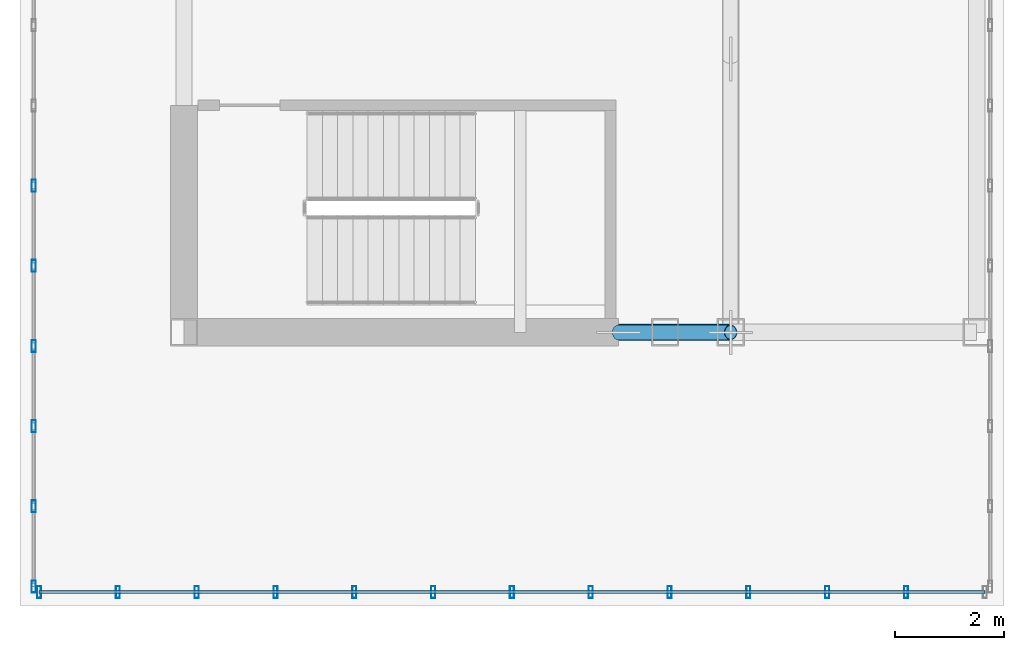
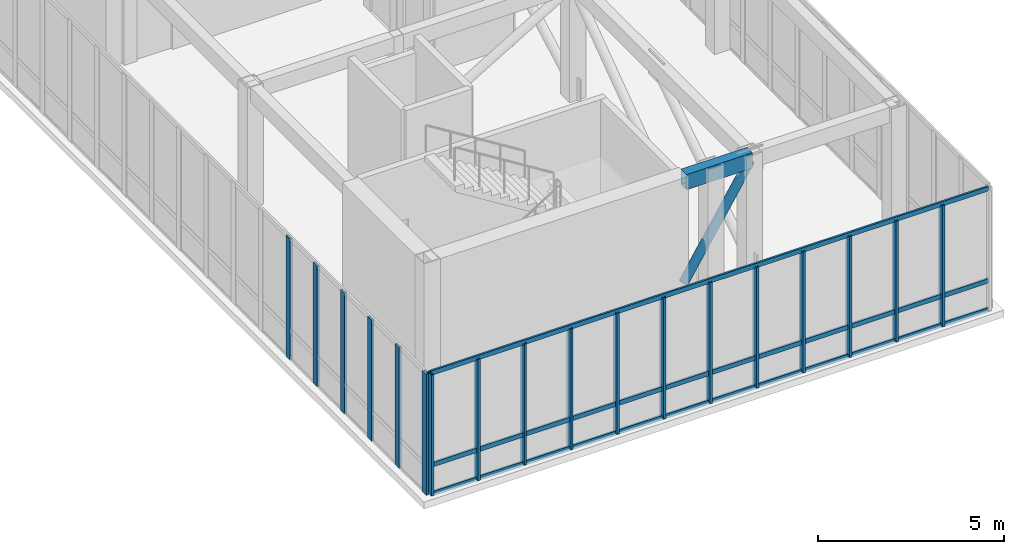
# One storey, part 2 of 13: 22 members, 1 beam, 2 elements without a shape of their own.
"""IFC4 building model written with IfcOpenShell, lengths in metres."""

from ifc_helpers import new_model, si_unit, direction, frame, origin, origin_2d, place, context, subcontext, project, spatial, hollow_rectangle, hollow_circle, extrude, source, transform, mapped, material, layer, layer_set, material_profile, profile_set, type_object, element, aggregate, save


model = new_model("IFC4")

# Units and contexts
model_context = context("Model", 3, precision=1e-05, world=origin(), true_north=direction((0.0, 1.0)))
body_context = subcontext(model_context, "Body", "Model", "MODEL_VIEW")
ifc_project = project(units=[si_unit("LENGTHUNIT", "METRE"), si_unit("AREAUNIT", "SQUARE_METRE"), si_unit("VOLUMEUNIT", "CUBIC_METRE"), si_unit("PLANEANGLEUNIT", "RADIAN"), si_unit("MASSUNIT", "GRAM", prefix="KILO")], contexts=[model_context])

# Site, building, storey
site_placement = place(None, origin())
site = spatial("IfcSite", under=ifc_project, at=site_placement, CompositionType="ELEMENT")
building_placement = place(site_placement, origin())
building = spatial("IfcBuilding", under=site, at=building_placement, Name="Kharzan Plaza Tower", CompositionType="ELEMENT")
storey_placement = place(building_placement, frame((0.0, 0.0, 281.39990234375)))
storey = spatial("IfcBuildingStorey", under=building, at=storey_placement, Name="L76-CROWN", CompositionType="ELEMENT", Elevation=281.39990234375)

# Beam
ifc_material_1 = material(Name="Steel S355", Category="steel")
ifc_material_profile_1 = material_profile(ifc_material_1, hollow_rectangle(XDim=0.300048828125, YDim=0.5, WallThickness=0.02001953125, at=origin_2d()), Name="RHS500x300x20")
ifc_profile_set_1 = profile_set([ifc_material_profile_1], Name="Steel S355")
beam_type = type_object("IfcBeamType", Name="BM-CRN500", PredefinedType="BEAM", material=ifc_profile_set_1)
shared_shape_1 = source(origin(), body_context, "Body", "SweptSolid", [
    extrude(hollow_rectangle(XDim=0.300048828125, YDim=0.5, WallThickness=0.02001953125, at=origin_2d()), origin(), (0.0, 0.0, 1.0), 2.050048828125),
])
beam_placement = place(storey_placement, frame((12.449951171875, 8.5, 3.72021484375), z_axis=(1.0, 0.0, 0.0), x_axis=(0.0, 1.0, 0.0)))
element("IfcBeam", 1, at=beam_placement, inside=storey, type_object=beam_type, Name="L76-CROWN CROWN FRAME Lantern Ring Beam CRB-S2", PredefinedType="BEAM", context=body_context, shape_type="MappedRepresentation", body=[
    mapped(shared_shape_1, transform((0.0, 0.0, 0.0), x_axis=(1.0, 0.0, 0.0), y_axis=(0.0, 1.0, 0.0), z_axis=(0.0, 0.0, 1.0))),
])

# Member
ifc_material_profile_2 = material_profile(ifc_material_1, hollow_circle(Radius=0.136474609375, WallThickness=0.010009765625, at=origin_2d()), Name="CHS273x10")
ifc_profile_set_2 = profile_set([ifc_material_profile_2], Name="Steel S355")
member_type_1 = type_object("IfcMemberType", Name="MEM-CRN-DIAG", PredefinedType="BRACE", material=ifc_profile_set_2)
shared_shape_2 = source(origin(), body_context, "Body", "SweptSolid", [
    extrude(hollow_circle(Radius=0.136474609375, WallThickness=0.010009765625, at=origin_2d()), origin(), (0.0, 0.0, 1.0), 3.859619140625),
])
member_1_placement = place(storey_placement, frame((12.449951171875, 8.5, 0.35009765625), z_axis=(0.531169756636, 0.0, 0.847265418647), x_axis=(0.0, 1.0, 0.0)))
element("IfcMember", 2, at=member_1_placement, inside=storey, type_object=member_type_1, Name="L76-CROWN CROWN FRAME Diagonal Wind Brace CRD-N2", PredefinedType="BRACE", context=body_context, shape_type="MappedRepresentation", body=[
    mapped(shared_shape_2, transform((0.0, 0.0, 0.0), x_axis=(1.0, 0.0, 0.0), y_axis=(0.0, 1.0, 0.0), z_axis=(0.0, 0.0, 1.0))),
])

# Curtain wall, members
ifc_material_2 = material(Name="Unitised Bronze-Anodized Aluminium and Low-E Glass", Category="aluminium")
ifc_layer = layer(ifc_material_2, 0.199951171875)
ifc_layer_set = layer_set([ifc_layer], Name="Unitised Bronze-Anodized Aluminium and Low-E Glass")
curtain_wall_type = type_object("IfcCurtainWallType", Name="CW-LANTERN-6", PredefinedType="NOTDEFINED", material=ifc_layer_set)
curtain_wall_1_placement = place(storey_placement, origin())
curtain_wall_1 = element("IfcCurtainWall", 3, at=curtain_wall_1_placement, inside=storey, type_object=curtain_wall_type, Name="L76-CROWN Lantern Crown Illuminated Curtain Wall 1", PredefinedType="NOTDEFINED")
ifc_material_3 = material(Name="Anodized Bronze Aluminium", Category="aluminium")
ifc_material_profile_3 = material_profile(ifc_material_3, hollow_rectangle(XDim=0.06005859375, YDim=0.14990234375, WallThickness=0.00341796875, at=origin_2d()), Name="ALU-T150x60x3.5")
ifc_profile_set_3 = profile_set([ifc_material_profile_3], Name="Anodized Bronze Aluminium")
member_type_2 = type_object("IfcMemberType", Name="MEM-CW-TRN150", PredefinedType="USERDEFINED", material=ifc_profile_set_3)
shared_shape_3 = source(origin(), body_context, "Body", "SweptSolid", [
    extrude(hollow_rectangle(XDim=0.06005859375, YDim=0.14990234375, WallThickness=0.00341796875, at=origin_2d()), origin(), (0.0, 0.0, 1.0), 17.2998046875),
])
member_2_placement = place(storey_placement, frame((1.85009765625, 3.75, 0.0), z_axis=(1.0, 0.0, 0.0), x_axis=(0.0, 1.0, 0.0)))
member_2 = element("IfcMember", 4, at=member_2_placement, type_object=member_type_2, Name="L76-CROWN Curtain-Wall Transom 1", ObjectType="TRANSOM", PredefinedType="USERDEFINED", context=body_context, shape_type="MappedRepresentation", body=[
    mapped(shared_shape_3, transform((0.0, 0.0, 0.0), x_axis=(1.0, 0.0, 0.0), y_axis=(0.0, 1.0, 0.0), z_axis=(0.0, 0.0, 1.0))),
])
member_3_placement = place(storey_placement, frame((1.85009765625, 3.75, 0.9501953125), z_axis=(1.0, 0.0, 0.0), x_axis=(0.0, 1.0, 0.0)))
member_3 = element("IfcMember", 5, at=member_3_placement, type_object=member_type_2, Name="L76-CROWN Curtain-Wall Transom 2", ObjectType="TRANSOM", PredefinedType="USERDEFINED", context=body_context, shape_type="MappedRepresentation", body=[
    mapped(shared_shape_3, transform((0.0, 0.0, 0.0), x_axis=(1.0, 0.0, 0.0), y_axis=(0.0, 1.0, 0.0), z_axis=(0.0, 0.0, 1.0))),
])
member_4_placement = place(storey_placement, frame((1.85009765625, 3.75, 3.97021484375), z_axis=(1.0, 0.0, 0.0), x_axis=(0.0, 1.0, 0.0)))
member_4 = element("IfcMember", 6, at=member_4_placement, type_object=member_type_2, Name="L76-CROWN Curtain-Wall Transom 3", ObjectType="TRANSOM", PredefinedType="USERDEFINED", context=body_context, shape_type="MappedRepresentation", body=[
    mapped(shared_shape_3, transform((0.0, 0.0, 0.0), x_axis=(1.0, 0.0, 0.0), y_axis=(0.0, 1.0, 0.0), z_axis=(0.0, 0.0, 1.0))),
])
ifc_material_profile_4 = material_profile(ifc_material_3, hollow_rectangle(XDim=0.074951171875, YDim=0.219970703125, WallThickness=0.00390625, at=origin_2d()), Name="ALU-M220x75x4")
ifc_profile_set_4 = profile_set([ifc_material_profile_4], Name="Anodized Bronze Aluminium")
member_type_3 = type_object("IfcMemberType", Name="MEM-CW-MUL200", PredefinedType="MULLION", material=ifc_profile_set_4)
shared_shape_4 = source(origin(), body_context, "Body", "SweptSolid", [
    extrude(hollow_rectangle(XDim=0.074951171875, YDim=0.219970703125, WallThickness=0.00390625, at=origin_2d()), origin(), (0.0, 0.0, 1.0), 3.97021484375),
])
member_5_placement = place(storey_placement, frame((1.85009765625, 3.75, 0.0), z_axis=(0.0, 0.0, 1.0), x_axis=(1.0, 0.0, 0.0)))
member_5 = element("IfcMember", 7, at=member_5_placement, type_object=member_type_3, Name="L76-CROWN Curtain-Wall Mullion 00", PredefinedType="MULLION", context=body_context, shape_type="MappedRepresentation", body=[
    mapped(shared_shape_4, transform((0.0, 0.0, 0.0), x_axis=(1.0, 0.0, 0.0), y_axis=(0.0, 1.0, 0.0), z_axis=(0.0, 0.0, 1.0))),
])
member_6_placement = place(storey_placement, frame((3.291748046875, 3.75, 0.0), z_axis=(0.0, 0.0, 1.0), x_axis=(1.0, 0.0, 0.0)))
member_6 = element("IfcMember", 8, at=member_6_placement, type_object=member_type_3, Name="L76-CROWN Curtain-Wall Mullion 01", PredefinedType="MULLION", context=body_context, shape_type="MappedRepresentation", body=[
    mapped(shared_shape_4, transform((0.0, 0.0, 0.0), x_axis=(1.0, 0.0, 0.0), y_axis=(0.0, 1.0, 0.0), z_axis=(0.0, 0.0, 1.0))),
])
member_7_placement = place(storey_placement, frame((4.7333984375, 3.75, 0.0), z_axis=(0.0, 0.0, 1.0), x_axis=(1.0, 0.0, 0.0)))
member_7 = element("IfcMember", 9, at=member_7_placement, type_object=member_type_3, Name="L76-CROWN Curtain-Wall Mullion 02", PredefinedType="MULLION", context=body_context, shape_type="MappedRepresentation", body=[
    mapped(shared_shape_4, transform((0.0, 0.0, 0.0), x_axis=(1.0, 0.0, 0.0), y_axis=(0.0, 1.0, 0.0), z_axis=(0.0, 0.0, 1.0))),
])
member_8_placement = place(storey_placement, frame((6.175048828125, 3.75, 0.0), z_axis=(0.0, 0.0, 1.0), x_axis=(1.0, 0.0, 0.0)))
member_8 = element("IfcMember", 10, at=member_8_placement, type_object=member_type_3, Name="L76-CROWN Curtain-Wall Mullion 03", PredefinedType="MULLION", context=body_context, shape_type="MappedRepresentation", body=[
    mapped(shared_shape_4, transform((0.0, 0.0, 0.0), x_axis=(1.0, 0.0, 0.0), y_axis=(0.0, 1.0, 0.0), z_axis=(0.0, 0.0, 1.0))),
])
member_9_placement = place(storey_placement, frame((7.61669921875, 3.75, 0.0), z_axis=(0.0, 0.0, 1.0), x_axis=(1.0, 0.0, 0.0)))
member_9 = element("IfcMember", 11, at=member_9_placement, type_object=member_type_3, Name="L76-CROWN Curtain-Wall Mullion 04", PredefinedType="MULLION", context=body_context, shape_type="MappedRepresentation", body=[
    mapped(shared_shape_4, transform((0.0, 0.0, 0.0), x_axis=(1.0, 0.0, 0.0), y_axis=(0.0, 1.0, 0.0), z_axis=(0.0, 0.0, 1.0))),
])
member_10_placement = place(storey_placement, frame((9.058349609375, 3.75, 0.0), z_axis=(0.0, 0.0, 1.0), x_axis=(1.0, 0.0, 0.0)))
member_10 = element("IfcMember", 12, at=member_10_placement, type_object=member_type_3, Name="L76-CROWN Curtain-Wall Mullion 05", PredefinedType="MULLION", context=body_context, shape_type="MappedRepresentation", body=[
    mapped(shared_shape_4, transform((0.0, 0.0, 0.0), x_axis=(1.0, 0.0, 0.0), y_axis=(0.0, 1.0, 0.0), z_axis=(0.0, 0.0, 1.0))),
])
member_11_placement = place(storey_placement, frame((10.5, 3.75, 0.0), z_axis=(0.0, 0.0, 1.0), x_axis=(1.0, 0.0, 0.0)))
member_11 = element("IfcMember", 13, at=member_11_placement, type_object=member_type_3, Name="L76-CROWN Curtain-Wall Mullion 06", PredefinedType="MULLION", context=body_context, shape_type="MappedRepresentation", body=[
    mapped(shared_shape_4, transform((0.0, 0.0, 0.0), x_axis=(1.0, 0.0, 0.0), y_axis=(0.0, 1.0, 0.0), z_axis=(0.0, 0.0, 1.0))),
])
member_12_placement = place(storey_placement, frame((11.941650390625, 3.75, 0.0), z_axis=(0.0, 0.0, 1.0), x_axis=(1.0, 0.0, 0.0)))
member_12 = element("IfcMember", 14, at=member_12_placement, type_object=member_type_3, Name="L76-CROWN Curtain-Wall Mullion 07", PredefinedType="MULLION", context=body_context, shape_type="MappedRepresentation", body=[
    mapped(shared_shape_4, transform((0.0, 0.0, 0.0), x_axis=(1.0, 0.0, 0.0), y_axis=(0.0, 1.0, 0.0), z_axis=(0.0, 0.0, 1.0))),
])
member_13_placement = place(storey_placement, frame((13.38330078125, 3.75, 0.0), z_axis=(0.0, 0.0, 1.0), x_axis=(1.0, 0.0, 0.0)))
member_13 = element("IfcMember", 15, at=member_13_placement, type_object=member_type_3, Name="L76-CROWN Curtain-Wall Mullion 08", PredefinedType="MULLION", context=body_context, shape_type="MappedRepresentation", body=[
    mapped(shared_shape_4, transform((0.0, 0.0, 0.0), x_axis=(1.0, 0.0, 0.0), y_axis=(0.0, 1.0, 0.0), z_axis=(0.0, 0.0, 1.0))),
])
member_14_placement = place(storey_placement, frame((14.824951171875, 3.75, 0.0), z_axis=(0.0, 0.0, 1.0), x_axis=(1.0, 0.0, 0.0)))
member_14 = element("IfcMember", 16, at=member_14_placement, type_object=member_type_3, Name="L76-CROWN Curtain-Wall Mullion 09", PredefinedType="MULLION", context=body_context, shape_type="MappedRepresentation", body=[
    mapped(shared_shape_4, transform((0.0, 0.0, 0.0), x_axis=(1.0, 0.0, 0.0), y_axis=(0.0, 1.0, 0.0), z_axis=(0.0, 0.0, 1.0))),
])
member_15_placement = place(storey_placement, frame((16.2666015625, 3.75, 0.0), z_axis=(0.0, 0.0, 1.0), x_axis=(1.0, 0.0, 0.0)))
member_15 = element("IfcMember", 17, at=member_15_placement, type_object=member_type_3, Name="L76-CROWN Curtain-Wall Mullion 10", PredefinedType="MULLION", context=body_context, shape_type="MappedRepresentation", body=[
    mapped(shared_shape_4, transform((0.0, 0.0, 0.0), x_axis=(1.0, 0.0, 0.0), y_axis=(0.0, 1.0, 0.0), z_axis=(0.0, 0.0, 1.0))),
])
member_16_placement = place(storey_placement, frame((17.708251953125, 3.75, 0.0), z_axis=(0.0, 0.0, 1.0), x_axis=(1.0, 0.0, 0.0)))
member_16 = element("IfcMember", 18, at=member_16_placement, type_object=member_type_3, Name="L76-CROWN Curtain-Wall Mullion 11", PredefinedType="MULLION", context=body_context, shape_type="MappedRepresentation", body=[
    mapped(shared_shape_4, transform((0.0, 0.0, 0.0), x_axis=(1.0, 0.0, 0.0), y_axis=(0.0, 1.0, 0.0), z_axis=(0.0, 0.0, 1.0))),
])
aggregate(curtain_wall_1, [member_5, member_6, member_7, member_8, member_9, member_10, member_11, member_12, member_13, member_14, member_15, member_16, member_2, member_3, member_4])

curtain_wall_2_placement = place(storey_placement, origin())
curtain_wall_2 = element("IfcCurtainWall", 19, at=curtain_wall_2_placement, inside=storey, type_object=curtain_wall_type, Name="L76-CROWN Lantern Crown Illuminated Curtain Wall 4", PredefinedType="NOTDEFINED")
member_17_placement = place(storey_placement, frame((1.75, 11.183349609375, 0.0), z_axis=(0.0, 0.0, 1.0), x_axis=(1.0, 0.0, 0.0)))
member_17 = element("IfcMember", 20, at=member_17_placement, type_object=member_type_3, Name="L76-CROWN Curtain-Wall Mullion 16", PredefinedType="MULLION", context=body_context, shape_type="MappedRepresentation", body=[
    mapped(shared_shape_4, transform((0.0, 0.0, 0.0), x_axis=(1.0, 0.0, 0.0), y_axis=(0.0, 1.0, 0.0), z_axis=(0.0, 0.0, 1.0))),
])
member_18_placement = place(storey_placement, frame((1.75, 9.716796875, 0.0), z_axis=(0.0, 0.0, 1.0), x_axis=(1.0, 0.0, 0.0)))
member_18 = element("IfcMember", 21, at=member_18_placement, type_object=member_type_3, Name="L76-CROWN Curtain-Wall Mullion 17", PredefinedType="MULLION", context=body_context, shape_type="MappedRepresentation", body=[
    mapped(shared_shape_4, transform((0.0, 0.0, 0.0), x_axis=(1.0, 0.0, 0.0), y_axis=(0.0, 1.0, 0.0), z_axis=(0.0, 0.0, 1.0))),
])
member_19_placement = place(storey_placement, frame((1.75, 8.25, 0.0), z_axis=(0.0, 0.0, 1.0), x_axis=(1.0, 0.0, 0.0)))
member_19 = element("IfcMember", 22, at=member_19_placement, type_object=member_type_3, Name="L76-CROWN Curtain-Wall Mullion 18", PredefinedType="MULLION", context=body_context, shape_type="MappedRepresentation", body=[
    mapped(shared_shape_4, transform((0.0, 0.0, 0.0), x_axis=(1.0, 0.0, 0.0), y_axis=(0.0, 1.0, 0.0), z_axis=(0.0, 0.0, 1.0))),
])
member_20_placement = place(storey_placement, frame((1.75, 6.783203125, 0.0), z_axis=(0.0, 0.0, 1.0), x_axis=(1.0, 0.0, 0.0)))
member_20 = element("IfcMember", 23, at=member_20_placement, type_object=member_type_3, Name="L76-CROWN Curtain-Wall Mullion 19", PredefinedType="MULLION", context=body_context, shape_type="MappedRepresentation", body=[
    mapped(shared_shape_4, transform((0.0, 0.0, 0.0), x_axis=(1.0, 0.0, 0.0), y_axis=(0.0, 1.0, 0.0), z_axis=(0.0, 0.0, 1.0))),
])
member_21_placement = place(storey_placement, frame((1.75, 5.316650390625, 0.0), z_axis=(0.0, 0.0, 1.0), x_axis=(1.0, 0.0, 0.0)))
member_21 = element("IfcMember", 24, at=member_21_placement, type_object=member_type_3, Name="L76-CROWN Curtain-Wall Mullion 20", PredefinedType="MULLION", context=body_context, shape_type="MappedRepresentation", body=[
    mapped(shared_shape_4, transform((0.0, 0.0, 0.0), x_axis=(1.0, 0.0, 0.0), y_axis=(0.0, 1.0, 0.0), z_axis=(0.0, 0.0, 1.0))),
])
member_22_placement = place(storey_placement, frame((1.75, 3.85009765625, 0.0), z_axis=(0.0, 0.0, 1.0), x_axis=(1.0, 0.0, 0.0)))
member_22 = element("IfcMember", 25, at=member_22_placement, type_object=member_type_3, Name="L76-CROWN Curtain-Wall Mullion 21", PredefinedType="MULLION", context=body_context, shape_type="MappedRepresentation", body=[
    mapped(shared_shape_4, transform((0.0, 0.0, 0.0), x_axis=(1.0, 0.0, 0.0), y_axis=(0.0, 1.0, 0.0), z_axis=(0.0, 0.0, 1.0))),
])
aggregate(curtain_wall_2, [member_17, member_18, member_19, member_20, member_21, member_22])

save(model, "model.ifc")
